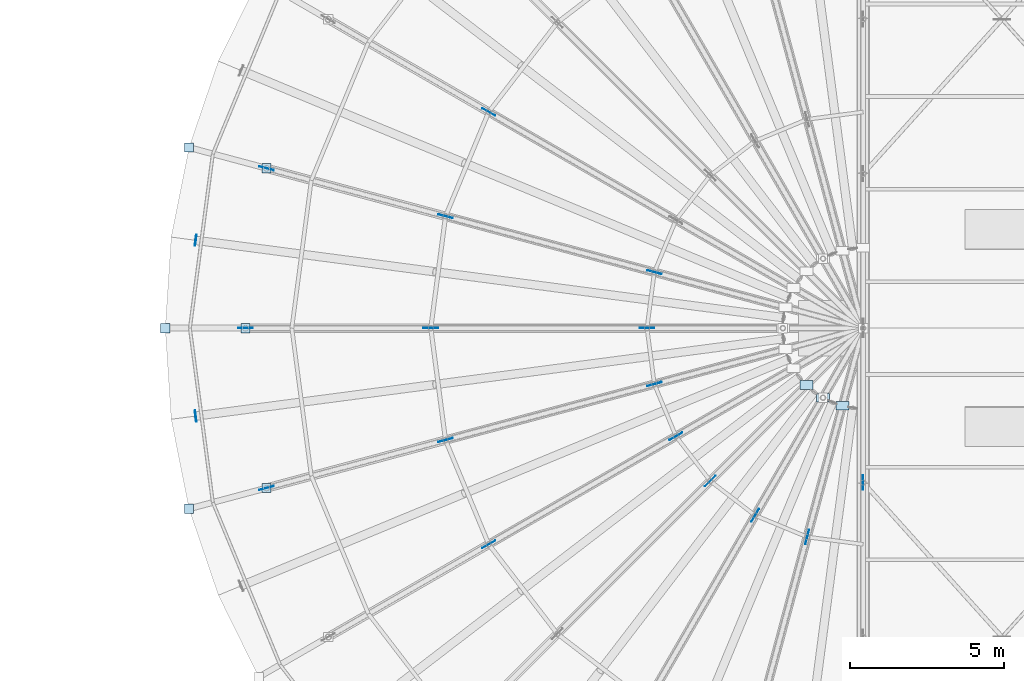
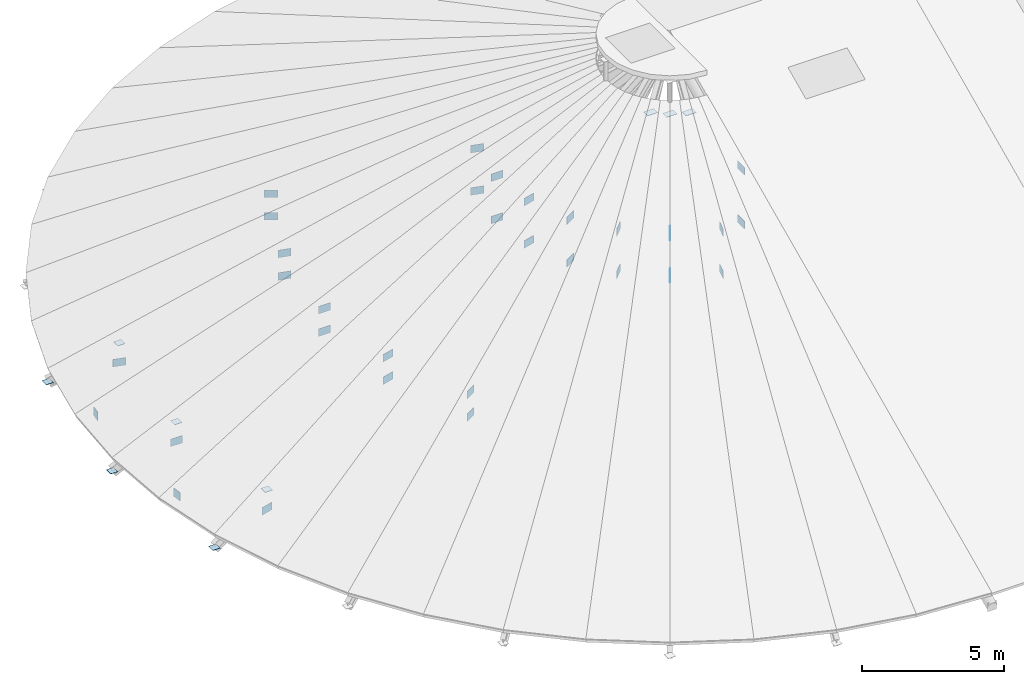
# One storey, part 87 of 107: 40 plates.
"""IFC4 building model written with IfcOpenShell, lengths in metres."""

from ifc_helpers import new_model, si_unit, derived_unit, direction, frame, origin, origin_2d, place, context, subcontext, project, spatial, rectangle, extrude, material, layer, layer_set, type_object, element, save


model = new_model("IFC4")

# Units and contexts
model_context = context("Model", 3, precision=1e-05, world=origin(), true_north=direction((0.0, 1.0)))
body_context = subcontext(model_context, "Body", "Model", "MODEL_VIEW")
ifc_project = project(units=[si_unit("LENGTHUNIT", "METRE"), si_unit("AREAUNIT", "SQUARE_METRE"), si_unit("VOLUMEUNIT", "CUBIC_METRE"), si_unit("PLANEANGLEUNIT", "RADIAN"), si_unit("MASSUNIT", "GRAM", prefix="KILO"), si_unit("THERMODYNAMICTEMPERATUREUNIT", "KELVIN"), si_unit("TIMEUNIT", "SECOND"), derived_unit("THERMALTRANSMITTANCEUNIT", [(si_unit("MASSUNIT", "GRAM", prefix="KILO"), 1), (si_unit("THERMODYNAMICTEMPERATUREUNIT", "KELVIN"), -1), (si_unit("TIMEUNIT", "SECOND"), -3)])], contexts=[model_context])

# Site, building, storey
site_placement = place(None, origin())
site = spatial("IfcSite", under=ifc_project, at=site_placement, CompositionType="ELEMENT")
building_placement = place(site_placement, origin())
building = spatial("IfcBuilding", under=site, at=building_placement, Name="Cambertide Market Hall", CompositionType="ELEMENT")
storey_placement = place(building_placement, frame((0.0, 0.0, 18.300048828125)))
storey = spatial("IfcBuildingStorey", under=building, at=storey_placement, Name="RF", CompositionType="ELEMENT", Elevation=18.300048828125)

# Plates
ifc_material_1 = material(Name="Steel S355", Category="steel")
ifc_layer_1 = layer(ifc_material_1, 0.013916015625, Name="Steel End Cap Plate EC-02")
ifc_layer_set_1 = layer_set([ifc_layer_1], Name="Steel S355")
plate_type_1 = type_object("IfcPlateType", Name="Steel End Cap Plate EC-02", PredefinedType="USERDEFINED", material=ifc_layer_set_1)
for number, where, z_axis, x_axis, name in (
    (1, (20.170166015625, 77.849365234375, -10.7529296875), (0.0, 0.0, 1.0), (1.0, 0.0, 0.0), "EC-CONE-W-10"),
    (2, (19.39990234375, 72.0, -10.7529296875), (0.0, 0.0, 1.0), (1.0, 0.0, 0.0), "EC-CONE-W-12"),
    (3, (20.170166015625, 66.150634765625, -10.7529296875), (0.0, 0.0, 1.0), (1.0, 0.0, 0.0), "EC-CONE-W-14"),
    (4, (22.681396484375, 77.17626953125, -9.55712890625), (0.0, 0.0, 1.0), (1.0, 0.0, 0.0), "High-Bay Brace Connection End Cap Plate EC-BRN-118"),
    (5, (22.0, 72.0, -9.55712890625), (0.0, 0.0, 1.0), (1.0, 0.0, 0.0), "High-Bay Brace Connection End Cap Plate EC-BRN-124"),
    (6, (22.681396484375, 66.82373046875, -9.55712890625), (0.0, 0.0, 1.0), (1.0, 0.0, 0.0), "High-Bay Brace Connection End Cap Plate EC-BRN-130"),
):
    element("IfcPlate", number, at=place(storey_placement, frame(where, z_axis=z_axis, x_axis=x_axis)), inside=storey, type_object=plate_type_1, Name=name, ObjectType="END CAP PLATE", PredefinedType="USERDEFINED", context=body_context, shape_type="SweptSolid", body=[
        extrude(rectangle(XDim=0.300048828125, YDim=0.300048828125, at=origin_2d()), origin(), (0.0, 0.0, 1.0), 0.013916015625),
    ])
ifc_material_2 = material(Name="Steel S355", Category="steel")
ifc_layer_2 = layer(ifc_material_2, 0.02392578125, Name="Steel End Cap Plate EC-03E")
ifc_layer_set_2 = layer_set([ifc_layer_2], Name="Steel S355")
plate_type_2 = type_object("IfcPlateType", Name="Steel End Cap Plate EC-03E", PredefinedType="USERDEFINED", material=ifc_layer_set_2)
for number, where, z_axis, x_axis, name in (
    (7, (20.386474609375, 74.845458984375, -10.55810546875), (0.0, 0.0, 1.0), (-0.991444861374, 0.13052619222, 0.0), "Eave Rafter End Cap Plate W-11"),
    (8, (20.386474609375, 69.154541015625, -10.55810546875), (0.0, 0.0, 1.0), (-0.991444861374, -0.13052619222, 0.0), "Eave Rafter End Cap Plate W-13"),
):
    element("IfcPlate", number, at=place(storey_placement, frame(where, z_axis=z_axis, x_axis=x_axis)), inside=storey, type_object=plate_type_2, Name=name, ObjectType="END CAP PLATE", PredefinedType="USERDEFINED", context=body_context, shape_type="SweptSolid", body=[
        extrude(rectangle(XDim=0.02392578125, YDim=0.360107421875, at=origin_2d()), origin(), (0.0, 0.0, 1.0), 0.360107421875),
    ])
ifc_material_3 = material(Name="Steel S355", Category="steel")
ifc_layer_3 = layer(ifc_material_3, 0.01806640625, Name="Steel Gusset Plate GP-02")
ifc_layer_set_3 = layer_set([ifc_layer_3], Name="Steel S355")
plate_type_3 = type_object("IfcPlateType", Name="Steel Gusset Plate GP-02", PredefinedType="USERDEFINED", material=ifc_layer_set_3)
plate_placement = place(storey_placement, frame((42.0, 67.0, -2.81005859375), z_axis=(0.0, 0.0, 1.0), x_axis=(1.0, 0.0, 0.0)))
element("IfcPlate", 9, at=plate_placement, inside=storey, type_object=plate_type_3, Name="Arch Truss 1 Node Gusset Plate 3", ObjectType="GUSSET PLATE", PredefinedType="USERDEFINED", context=body_context, shape_type="SweptSolid", body=[
    extrude(rectangle(XDim=0.01806640625, YDim=0.47998046875, at=origin_2d()), origin(), (0.0, 0.0, 1.0), 0.320068359375),
])
for number, where, z_axis, x_axis, name in (
    (10, (42.0, 67.0, -5.115234375), (0.0, 0.0, 1.0), (0.0, 1.0, 0.0), "High-Bay Brace Connection Gusset Plate GP-BRN-004"),
    (11, (29.875732421875, 79.0, -7.916015625), (0.0, 0.0, 1.0), (0.866025403784, -0.5, 0.0), "High-Bay Brace Connection Gusset Plate GP-BRN-108"),
    (12, (29.875732421875, 79.0, -6.9501953125), (0.0, 0.0, 1.0), (0.866025403784, -0.5, 0.0), "High-Bay Brace Connection Gusset Plate GP-BRN-111"),
    (13, (35.238525390625, 73.811767578125, -5.54150390625), (0.0, 0.0, 1.0), (0.965925826289, -0.258819045103, 0.0), "High-Bay Brace Connection Gusset Plate GP-BRN-113"),
    (14, (28.47705078125, 75.62353515625, -7.916015625), (0.0, 0.0, 1.0), (0.965925826289, -0.258819045103, 0.0), "High-Bay Brace Connection Gusset Plate GP-BRN-114"),
    (15, (35.238525390625, 73.811767578125, -3.72998046875), (0.0, 0.0, 1.0), (0.965925826289, -0.258819045103, 0.0), "High-Bay Brace Connection Gusset Plate GP-BRN-115"),
    (16, (22.681396484375, 77.17626953125, -10.5400390625), (0.0, 0.0, 1.0), (0.965925826289, -0.258819045103, 0.0), "High-Bay Brace Connection Gusset Plate GP-BRN-116"),
    (17, (28.47705078125, 75.62353515625, -6.9501953125), (0.0, 0.0, 1.0), (0.965925826289, -0.258819045103, 0.0), "High-Bay Brace Connection Gusset Plate GP-BRN-117"),
    (18, (35.0, 72.0, -5.54150390625), (0.0, 0.0, 1.0), (1.0, 0.0, 0.0), "High-Bay Brace Connection Gusset Plate GP-BRN-119"),
    (19, (28.0, 72.0, -7.916015625), (0.0, 0.0, 1.0), (1.0, 0.0, 0.0), "High-Bay Brace Connection Gusset Plate GP-BRN-120"),
    (20, (35.0, 72.0, -3.72998046875), (0.0, 0.0, 1.0), (1.0, 0.0, 0.0), "High-Bay Brace Connection Gusset Plate GP-BRN-121"),
    (21, (22.0, 72.0, -10.5400390625), (0.0, 0.0, 1.0), (1.0, 0.0, 0.0), "High-Bay Brace Connection Gusset Plate GP-BRN-122"),
    (22, (28.0, 72.0, -6.9501953125), (0.0, 0.0, 1.0), (1.0, 0.0, 0.0), "High-Bay Brace Connection Gusset Plate GP-BRN-123"),
    (23, (35.238525390625, 70.188232421875, -5.54150390625), (0.0, 0.0, 1.0), (0.965925826289, 0.258819045103, 0.0), "High-Bay Brace Connection Gusset Plate GP-BRN-125"),
    (24, (28.47705078125, 68.37646484375, -7.916015625), (0.0, 0.0, 1.0), (0.965925826289, 0.258819045103, 0.0), "High-Bay Brace Connection Gusset Plate GP-BRN-126"),
    (25, (35.238525390625, 70.188232421875, -3.72998046875), (0.0, 0.0, 1.0), (0.965925826289, 0.258819045103, 0.0), "High-Bay Brace Connection Gusset Plate GP-BRN-127"),
    (26, (22.681396484375, 66.82373046875, -10.5400390625), (0.0, 0.0, 1.0), (0.965925826289, 0.258819045103, 0.0), "High-Bay Brace Connection Gusset Plate GP-BRN-128"),
    (27, (28.47705078125, 68.37646484375, -6.9501953125), (0.0, 0.0, 1.0), (0.965925826289, 0.258819045103, 0.0), "High-Bay Brace Connection Gusset Plate GP-BRN-129"),
    (28, (35.937744140625, 68.5, -5.54150390625), (0.0, 0.0, 1.0), (0.866025403784, 0.5, 0.0), "High-Bay Brace Connection Gusset Plate GP-BRN-131"),
    (29, (29.875732421875, 65.0, -7.916015625), (0.0, 0.0, 1.0), (0.866025403784, 0.5, 0.0), "High-Bay Brace Connection Gusset Plate GP-BRN-132"),
    (30, (35.937744140625, 68.5, -3.72998046875), (0.0, 0.0, 1.0), (0.866025403784, 0.5, 0.0), "High-Bay Brace Connection Gusset Plate GP-BRN-133"),
    (31, (29.875732421875, 65.0, -6.9501953125), (0.0, 0.0, 1.0), (0.866025403784, 0.5, 0.0), "High-Bay Brace Connection Gusset Plate GP-BRN-135"),
    (32, (37.05029296875, 67.05029296875, -5.54150390625), (0.0, 0.0, 1.0), (0.707106781187, 0.707106781187, 0.0), "High-Bay Brace Connection Gusset Plate GP-BRN-137"),
    (33, (37.05029296875, 67.05029296875, -3.72998046875), (0.0, 0.0, 1.0), (0.707106781187, 0.707106781187, 0.0), "High-Bay Brace Connection Gusset Plate GP-BRN-139"),
    (34, (38.5, 65.937744140625, -5.54150390625), (0.0, 0.0, 1.0), (0.5, 0.866025403784, 0.0), "High-Bay Brace Connection Gusset Plate GP-BRN-143"),
    (35, (38.5, 65.937744140625, -3.72998046875), (0.0, 0.0, 1.0), (0.5, 0.866025403784, 0.0), "High-Bay Brace Connection Gusset Plate GP-BRN-145"),
    (36, (40.188232421875, 65.238525390625, -5.54150390625), (0.0, 0.0, 1.0), (0.258819045103, 0.965925826289, 0.0), "High-Bay Brace Connection Gusset Plate GP-BRN-149"),
    (37, (40.188232421875, 65.238525390625, -3.72998046875), (0.0, 0.0, 1.0), (0.258819045103, 0.965925826289, 0.0), "High-Bay Brace Connection Gusset Plate GP-BRN-151"),
):
    element("IfcPlate", number, at=place(storey_placement, frame(where, z_axis=z_axis, x_axis=x_axis)), inside=storey, type_object=plate_type_3, Name=name, ObjectType="GUSSET PLATE", PredefinedType="USERDEFINED", context=body_context, shape_type="SweptSolid", body=[
        extrude(rectangle(XDim=0.47998046875, YDim=0.01806640625, at=origin_2d()), origin(), (0.0, 0.0, 1.0), 0.320068359375),
    ])
ifc_material_4 = material(Name="Steel S355", Category="steel")
ifc_layer_4 = layer(ifc_material_4, 0.01611328125, Name="Steel Gusset Plate GP-03")
ifc_layer_set_4 = layer_set([ifc_layer_4], Name="Steel S355")
plate_type_4 = type_object("IfcPlateType", Name="Steel Gusset Plate GP-03", PredefinedType="USERDEFINED", material=ifc_layer_set_4)
for number, where, z_axis, x_axis, name in (
    (38, (40.16162109375, 70.16162109375, -1.55419921875), (0.0, 0.0, 1.0), (1.0, 0.0, 0.0), "Crown Ring Gusset Plate W-10"),
    (39, (40.699951171875, 69.748291015625, -1.55419921875), (0.0, 0.0, 1.0), (1.0, 0.0, 0.0), "Crown Ring Gusset Plate W-11"),
    (40, (41.3271484375, 69.488525390625, -1.55419921875), (0.0, 0.0, 1.0), (1.0, 0.0, 0.0), "Crown Ring Gusset Plate W-12"),
):
    element("IfcPlate", number, at=place(storey_placement, frame(where, z_axis=z_axis, x_axis=x_axis)), inside=storey, type_object=plate_type_4, Name=name, ObjectType="GUSSET PLATE", PredefinedType="USERDEFINED", context=body_context, shape_type="SweptSolid", body=[
        extrude(rectangle(XDim=0.419921875, YDim=0.280029296875, at=origin_2d()), origin(), (0.0, 0.0, 1.0), 0.01611328125),
    ])

save(model, "model.ifc")
